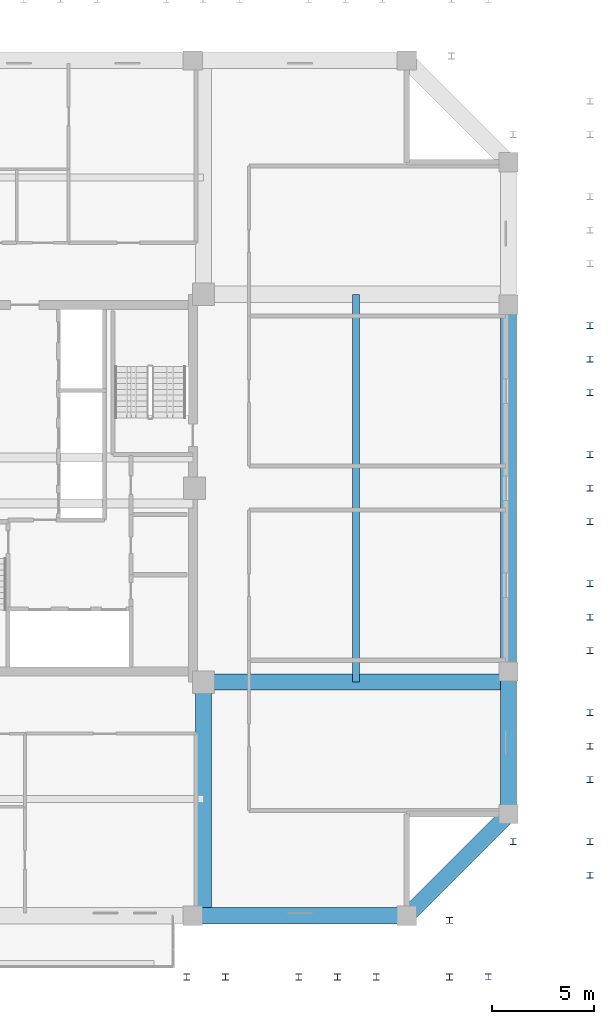
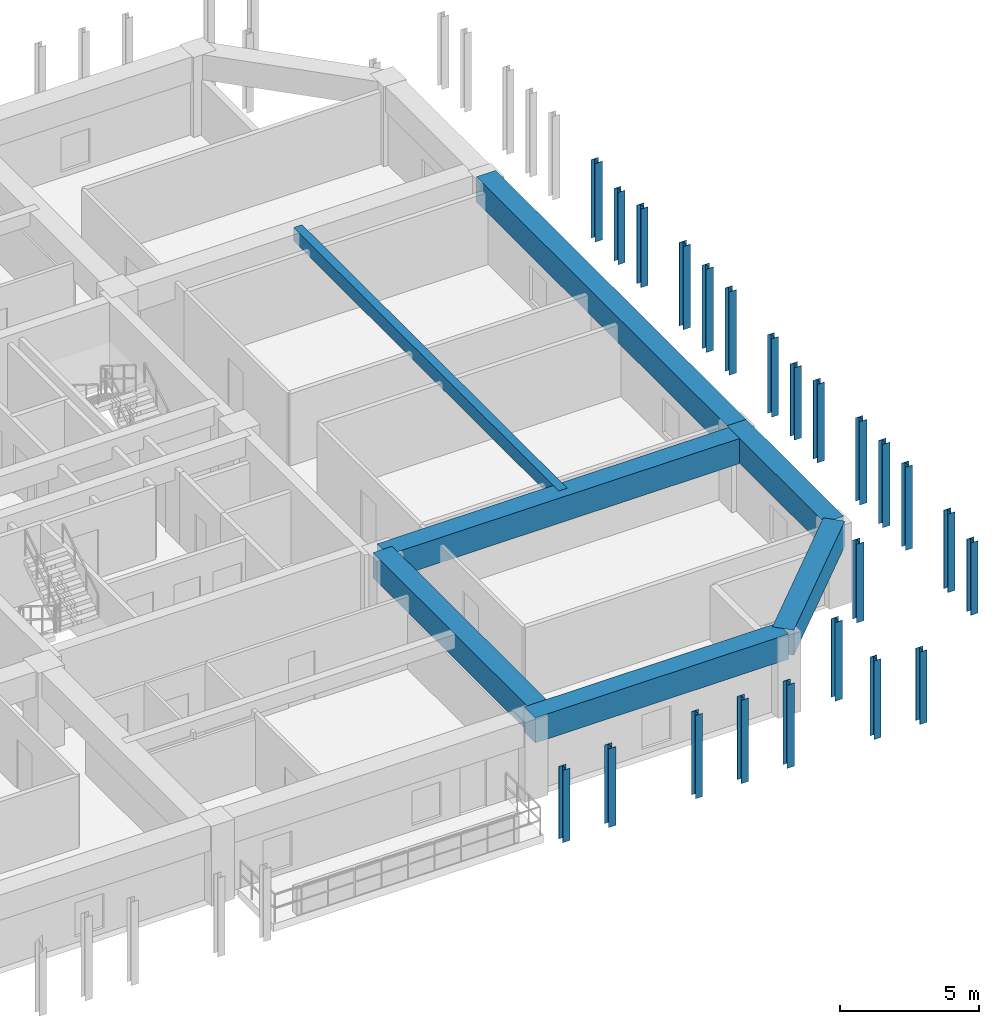
# One storey, part 4 of 13: 23 members, 7 beams.
"""IFC4 building model written with IfcOpenShell, lengths in metres."""

from ifc_helpers import new_model, si_unit, direction, frame, origin, origin_2d, place, context, subcontext, project, spatial, rectangle, i_section, extrude, source, transform, mapped, material, material_profile, profile_set, type_object, element, save


model = new_model("IFC4")

# Units and contexts
model_context = context("Model", 3, precision=1e-05, world=origin(), true_north=direction((0.0, 1.0)))
body_context = subcontext(model_context, "Body", "Model", "MODEL_VIEW")
ifc_project = project(units=[si_unit("LENGTHUNIT", "METRE"), si_unit("AREAUNIT", "SQUARE_METRE"), si_unit("VOLUMEUNIT", "CUBIC_METRE"), si_unit("PLANEANGLEUNIT", "RADIAN"), si_unit("MASSUNIT", "GRAM", prefix="KILO")], contexts=[model_context])

# Site, building, storey
site_placement = place(None, origin())
site = spatial("IfcSite", under=ifc_project, at=site_placement, CompositionType="ELEMENT")
building_placement = place(site_placement, origin())
building = spatial("IfcBuilding", under=site, at=building_placement, Name="Saelheon Loggia Tower", CompositionType="ELEMENT")
storey_placement = place(building_placement, frame((0.0, 0.0, 148.699951171875)))
storey = spatial("IfcBuildingStorey", under=building, at=storey_placement, Name="L47", CompositionType="ELEMENT", Elevation=148.699951171875)

# Members
ifc_material_1 = material(Name="Steel SM355", Category="steel")
ifc_material_profile_1 = material_profile(ifc_material_1, i_section(OverallWidth=0.300048828125, OverallDepth=0.300048828125, WebThickness=0.010009765625, FlangeThickness=0.014892578125, at=origin_2d()), Name="H-300x300x10x15")
ifc_profile_set_1 = profile_set([ifc_material_profile_1], Name="Steel SM355")
member_type_1 = type_object("IfcMemberType", Name="WaveCrest_Post_H300", PredefinedType="POST", material=ifc_profile_set_1)
shared_shape_1 = source(origin(), body_context, "Body", "SweptSolid", [
    extrude(i_section(OverallWidth=0.300048828125, OverallDepth=0.300048828125, WebThickness=0.010009765625, FlangeThickness=0.014892578125, at=origin_2d()), origin(), (0.0, 0.0, 1.0), 3.169921875),
])
for number, where, z_axis, x_axis, name in (
    (1, (64.0, 8.0, -0.14990234375), (0.0, 0.0, 1.0), (1.0, 0.0, 0.0), "Tier 1 Wave Crest Lower Post E 00"),
    (2, (64.0, 20.666748046875, -0.14990234375), (0.0, 0.0, 1.0), (1.0, 0.0, 0.0), "Tier 1 Wave Crest Lower Post E 02"),
    (3, (64.0, 33.333251953125, -0.14990234375), (0.0, 0.0, 1.0), (1.0, 0.0, 0.0), "Tier 1 Wave Crest Lower Post E 04"),
    (4, (44.199951171875, 3.0, -0.14990234375), (0.0, 0.0, 1.0), (1.0, 0.0, 0.0), "Tier 1 Wave Crest Lower Post SE 00"),
    (5, (59.0, 3.0, -0.14990234375), (0.0, 0.0, 1.0), (1.0, 0.0, 0.0), "Tier 1 Wave Crest Lower Post SE 02"),
):
    element("IfcMember", number, at=place(storey_placement, frame(where, z_axis=z_axis, x_axis=x_axis)), inside=storey, type_object=member_type_1, Name=name, PredefinedType="POST", context=body_context, shape_type="MappedRepresentation", body=[
        mapped(shared_shape_1, transform((0.0, 0.0, 0.0), scale=1.0)),
    ])
shared_shape_2 = source(origin(), body_context, "Body", "SweptSolid", [
    extrude(i_section(OverallWidth=0.300048828125, OverallDepth=0.300048828125, WebThickness=0.010009765625, FlangeThickness=0.014892578125, at=origin_2d()), origin(), (0.0, 0.0, 1.0), 3.64990234375),
])
for number, where, z_axis, x_axis, name in (
    (6, (64.0, 14.333251953125, -0.14990234375), (0.0, 0.0, 1.0), (1.0, 0.0, 0.0), "Tier 1 Wave Crest Lower Post E 01"),
    (7, (64.0, 27.0, -0.14990234375), (0.0, 0.0, 1.0), (1.0, 0.0, 0.0), "Tier 1 Wave Crest Lower Post E 03"),
    (8, (64.0, 12.6884765625, -0.14990234375), (0.0, 0.0, 1.0), (1.0, 0.0, 0.0), "Tier 1 Rafter Outer Lower Post E 01"),
    (9, (64.0, 15.97802734375, -0.14990234375), (0.0, 0.0, 1.0), (1.0, 0.0, 0.0), "Tier 1 Rafter Outer Lower Post E 02"),
    (10, (64.0, 25.355224609375, -0.14990234375), (0.0, 0.0, 1.0), (1.0, 0.0, 0.0), "Tier 1 Rafter Outer Lower Post E 03"),
    (11, (64.0, 28.644775390625, -0.14990234375), (0.0, 0.0, 1.0), (1.0, 0.0, 0.0), "Tier 1 Rafter Outer Lower Post E 04"),
    (12, (51.60009765625, 3.0, -0.14990234375), (0.0, 0.0, 1.0), (1.0, 0.0, 0.0), "Tier 1 Wave Crest Lower Post SE 01"),
    (13, (49.69921875, 3.0, -0.14990234375), (0.0, 0.0, 1.0), (1.0, 0.0, 0.0), "Tier 1 Rafter Outer Lower Post SE 01"),
    (14, (53.500732421875, 3.0, -0.14990234375), (0.0, 0.0, 1.0), (1.0, 0.0, 0.0), "Tier 1 Rafter Outer Lower Post SE 02"),
):
    element("IfcMember", number, at=place(storey_placement, frame(where, z_axis=z_axis, x_axis=x_axis)), inside=storey, type_object=member_type_1, Name=name, PredefinedType="POST", context=body_context, shape_type="MappedRepresentation", body=[
        mapped(shared_shape_2, transform((0.0, 0.0, 0.0), scale=1.0)),
    ])
shared_shape_3 = source(origin(), body_context, "Body", "SweptSolid", [
    extrude(i_section(OverallWidth=0.300048828125, OverallDepth=0.300048828125, WebThickness=0.010009765625, FlangeThickness=0.014892578125, at=origin_2d()), origin(), (0.0, 0.0, 1.0), 3.44189453125),
])
member_1_placement = place(storey_placement, frame((64.0, 9.644775390625, -0.14990234375), z_axis=(0.0, 0.0, 1.0), x_axis=(1.0, 0.0, 0.0)))
element("IfcMember", 15, at=member_1_placement, inside=storey, type_object=member_type_1, Name="Tier 1 Rafter Outer Lower Post E 01", PredefinedType="POST", context=body_context, shape_type="MappedRepresentation", body=[
    mapped(shared_shape_3, transform((0.0, 0.0, 0.0), scale=1.0)),
])
ifc_material_profile_2 = material_profile(ifc_material_1, i_section(OverallWidth=0.300048828125, OverallDepth=0.300048828125, WebThickness=0.010009765625, FlangeThickness=0.014892578125, at=origin_2d()), Name="H-300x300x10x15")
ifc_profile_set_2 = profile_set([ifc_material_profile_2], Name="Steel SM355")
member_type_2 = type_object("IfcMemberType", Name="Belt_Post_H300", PredefinedType="POST", material=ifc_profile_set_2)
member_2_placement = place(storey_placement, frame((60.219970703125, 9.644775390625, -0.14990234375), z_axis=(0.0, 0.0, 1.0), x_axis=(1.0, 0.0, 0.0)))
element("IfcMember", 16, at=member_2_placement, inside=storey, type_object=member_type_2, Name="Tier 1 Rafter Inner Lower Post E 01", PredefinedType="POST", context=body_context, shape_type="MappedRepresentation", body=[
    mapped(shared_shape_3, transform((0.0, 0.0, 0.0), scale=1.0)),
])
for number, where, z_axis, x_axis, name in (
    (17, (64.0, 19.02197265625, -0.14990234375), (0.0, 0.0, 1.0), (1.0, 0.0, 0.0), "Tier 1 Rafter Outer Lower Post E 02"),
    (18, (64.0, 22.3115234375, -0.14990234375), (0.0, 0.0, 1.0), (1.0, 0.0, 0.0), "Tier 1 Rafter Outer Lower Post E 03"),
    (19, (64.0, 31.6884765625, -0.14990234375), (0.0, 0.0, 1.0), (1.0, 0.0, 0.0), "Tier 1 Rafter Outer Lower Post E 04"),
    (20, (64.0, 34.97802734375, -0.14990234375), (0.0, 0.0, 1.0), (1.0, 0.0, 0.0), "Tier 1 Rafter Outer Lower Post E 05"),
):
    element("IfcMember", number, at=place(storey_placement, frame(where, z_axis=z_axis, x_axis=x_axis)), inside=storey, type_object=member_type_1, Name=name, PredefinedType="POST", context=body_context, shape_type="MappedRepresentation", body=[
        mapped(shared_shape_3, transform((0.0, 0.0, 0.0), scale=1.0)),
    ])
shared_shape_4 = source(origin(), body_context, "Body", "SweptSolid", [
    extrude(i_section(OverallWidth=0.300048828125, OverallDepth=0.300048828125, WebThickness=0.010009765625, FlangeThickness=0.014892578125, at=origin_2d()), origin(), (0.0, 0.0, 1.0), 3.4482421875),
])
for number, where, z_axis, x_axis, name in (
    (21, (46.100830078125, 3.0, -0.14990234375), (0.0, 0.0, 1.0), (1.0, 0.0, 0.0), "Tier 1 Rafter Outer Lower Post SE 01"),
    (22, (57.09912109375, 3.0, -0.14990234375), (0.0, 0.0, 1.0), (1.0, 0.0, 0.0), "Tier 1 Rafter Outer Lower Post SE 02"),
):
    element("IfcMember", number, at=place(storey_placement, frame(where, z_axis=z_axis, x_axis=x_axis)), inside=storey, type_object=member_type_1, Name=name, PredefinedType="POST", context=body_context, shape_type="MappedRepresentation", body=[
        mapped(shared_shape_4, transform((0.0, 0.0, 0.0), scale=1.0)),
    ])
member_3_placement = place(storey_placement, frame((57.09912109375, 5.780029296875, -0.14990234375), z_axis=(0.0, 0.0, 1.0), x_axis=(1.0, 0.0, 0.0)))
element("IfcMember", 23, at=member_3_placement, inside=storey, type_object=member_type_2, Name="Tier 1 Rafter Inner Lower Post SE 02", PredefinedType="POST", context=body_context, shape_type="MappedRepresentation", body=[
    mapped(shared_shape_4, transform((0.0, 0.0, 0.0), scale=1.0)),
])

# Beams
ifc_material_2 = material(Name="Concrete C45/55", Category="concrete")
ifc_material_profile_3 = material_profile(ifc_material_2, rectangle(XDim=0.35009765625, YDim=0.60009765625, at=origin_2d()), Name="RC-350x600")
ifc_profile_set_3 = profile_set([ifc_material_profile_3], Name="Concrete C45/55")
beam_type_1 = type_object("IfcBeamType", Name="Beam_AmenityJoist_RC350x600", PredefinedType="JOIST", material=ifc_profile_set_3)
shared_shape_5 = source(origin(), body_context, "Body", "SweptSolid", [
    extrude(rectangle(XDim=0.35009765625, YDim=0.60009765625, at=origin_2d()), origin(), (0.0, 0.0, 1.0), 19.0400390625),
])
beam_1_placement = place(storey_placement, frame((52.510009765625, 17.47998046875, 3.199951171875), z_axis=(0.0, 1.0, 0.0), x_axis=(-1.0, 0.0, 0.0)))
element("IfcBeam", 24, at=beam_1_placement, inside=storey, type_object=beam_type_1, Name="L47 East Floor Joist", PredefinedType="JOIST", context=body_context, shape_type="MappedRepresentation", body=[
    mapped(shared_shape_5, transform((0.0, 0.0, 0.0), scale=1.0)),
])
ifc_material_3 = material(Name="Concrete C50/60", Category="concrete")
ifc_material_profile_4 = material_profile(ifc_material_3, rectangle(XDim=0.800048828125, YDim=1.10009765625, at=origin_2d()), Name="RC-800x1100")
ifc_profile_set_4 = profile_set([ifc_material_profile_4], Name="Concrete C50/60")
beam_type_2 = type_object("IfcBeamType", Name="Beam_PerimSetback_RC800x1100", PredefinedType="BEAM", material=ifc_profile_set_4)
shared_shape_6 = source(origin(), body_context, "Body", "SweptSolid", [
    extrude(rectangle(XDim=0.800048828125, YDim=1.10009765625, at=origin_2d()), origin(), (0.0, 0.0, 1.0), 10.5),
])
beam_2_placement = place(storey_placement, frame((44.5, 6.0, 2.949951171875), z_axis=(1.0, 0.0, 0.0), x_axis=(0.0, 1.0, 0.0)))
element("IfcBeam", 25, at=beam_2_placement, inside=storey, type_object=beam_type_2, Name="L47 Perimeter Frame Girder 03", PredefinedType="BEAM", context=body_context, shape_type="MappedRepresentation", body=[
    mapped(shared_shape_6, transform((0.0, 0.0, 0.0), scale=1.0)),
])
shared_shape_7 = source(origin(), body_context, "Body", "SweptSolid", [
    extrude(rectangle(XDim=0.800048828125, YDim=1.10009765625, at=origin_2d()), origin(), (0.0, 0.0, 1.0), 7.071044921875),
])
beam_3_placement = place(storey_placement, frame((55.0, 6.0, 2.949951171875), z_axis=(0.707106781187, 0.707106781187, 0.0), x_axis=(-0.707106781187, 0.707106781187, 0.0)))
element("IfcBeam", 26, at=beam_3_placement, inside=storey, type_object=beam_type_2, Name="L47 Perimeter Frame Girder 04", PredefinedType="BEAM", context=body_context, shape_type="MappedRepresentation", body=[
    mapped(shared_shape_7, transform((0.0, 0.0, 0.0), scale=1.0)),
])
shared_shape_8 = source(origin(), body_context, "Body", "SweptSolid", [
    extrude(rectangle(XDim=0.800048828125, YDim=1.10009765625, at=origin_2d()), origin(), (0.0, 0.0, 1.0), 7.0),
])
beam_4_placement = place(storey_placement, frame((60.0, 11.0, 2.949951171875), z_axis=(0.0, 1.0, 0.0), x_axis=(-1.0, 0.0, 0.0)))
element("IfcBeam", 27, at=beam_4_placement, inside=storey, type_object=beam_type_2, Name="L47 Perimeter Frame Girder 05", PredefinedType="BEAM", context=body_context, shape_type="MappedRepresentation", body=[
    mapped(shared_shape_8, transform((0.0, 0.0, 0.0), scale=1.0)),
])
shared_shape_9 = source(origin(), body_context, "Body", "SweptSolid", [
    extrude(rectangle(XDim=0.800048828125, YDim=1.10009765625, at=origin_2d()), origin(), (0.0, 0.0, 1.0), 18.0),
])
beam_5_placement = place(storey_placement, frame((60.0, 18.0, 2.949951171875), z_axis=(0.0, 1.0, 0.0), x_axis=(-1.0, 0.0, 0.0)))
element("IfcBeam", 28, at=beam_5_placement, inside=storey, type_object=beam_type_2, Name="L47 Perimeter Frame Girder 06", PredefinedType="BEAM", context=body_context, shape_type="MappedRepresentation", body=[
    mapped(shared_shape_9, transform((0.0, 0.0, 0.0), scale=1.0)),
])
ifc_material_profile_5 = material_profile(ifc_material_3, rectangle(XDim=0.800048828125, YDim=1.10009765625, at=origin_2d()), Name="RC-800x1100")
ifc_profile_set_5 = profile_set([ifc_material_profile_5], Name="Concrete C50/60")
beam_type_3 = type_object("IfcBeamType", Name="Beam_SetbackTransfer_RC800x1100", PredefinedType="BEAM", material=ifc_profile_set_5)
shared_shape_10 = source(origin(), body_context, "Body", "SweptSolid", [
    extrude(rectangle(XDim=0.800048828125, YDim=1.10009765625, at=origin_2d()), origin(), (0.0, 0.0, 1.0), 11.47998046875),
])
beam_6_placement = place(storey_placement, frame((45.02001953125, 17.47998046875, 2.949951171875), z_axis=(0.0, -1.0, 0.0), x_axis=(1.0, 0.0, 0.0)))
element("IfcBeam", 29, at=beam_6_placement, inside=storey, type_object=beam_type_3, Name="L47 Radial Floor Girder RAD-SE-S", PredefinedType="BEAM", context=body_context, shape_type="MappedRepresentation", body=[
    mapped(shared_shape_10, transform((0.0, 0.0, 0.0), scale=1.0)),
])
shared_shape_11 = source(origin(), body_context, "Body", "SweptSolid", [
    extrude(rectangle(XDim=0.800048828125, YDim=1.10009765625, at=origin_2d()), origin(), (0.0, 0.0, 1.0), 14.97998046875),
])
beam_7_placement = place(storey_placement, frame((45.02001953125, 17.47998046875, 2.949951171875), z_axis=(1.0, 0.0, 0.0), x_axis=(0.0, 1.0, 0.0)))
element("IfcBeam", 30, at=beam_7_placement, inside=storey, type_object=beam_type_3, Name="L47 Radial Floor Girder RAD-SE-E", PredefinedType="BEAM", context=body_context, shape_type="MappedRepresentation", body=[
    mapped(shared_shape_11, transform((0.0, 0.0, 0.0), scale=1.0)),
])

save(model, "model.ifc")
